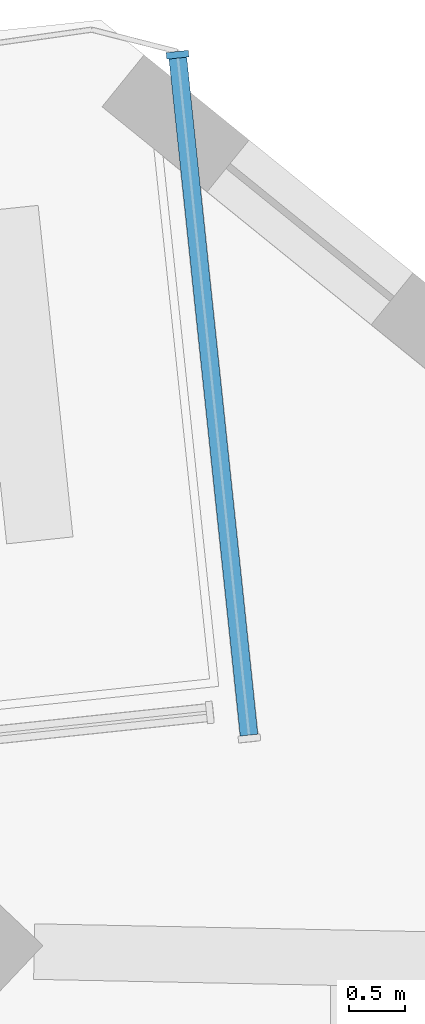
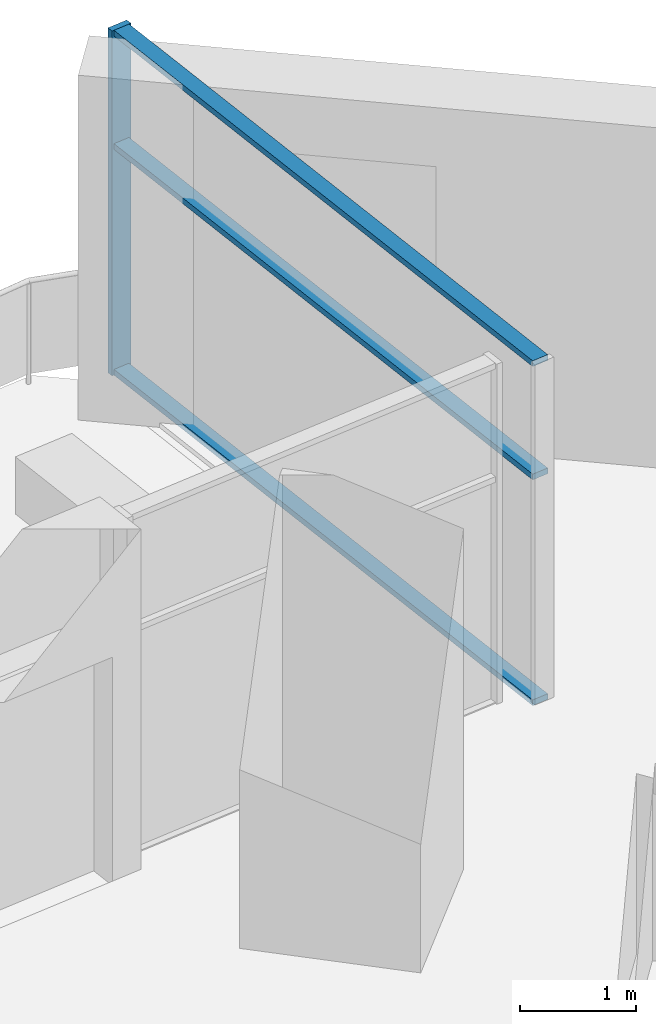
# One storey, part 5 of 14: 4 members, 1 element without a shape of its own.
"""IFC4 building model written with IfcOpenShell, lengths in metres."""

from ifc_helpers import new_model, si_unit, direction, frame, origin, origin_2d, place, context, subcontext, project, spatial, rectangle, extrude, material, material_profile, profile_set, type_object, element, aggregate, save


model = new_model("IFC4")

# Units and contexts
model_context = context("Model", 3, precision=1e-05, world=origin(), true_north=direction((0.0, 1.0)))
body_context = subcontext(model_context, "Body", "Model", "MODEL_VIEW")
ifc_project = project(units=[si_unit("LENGTHUNIT", "METRE"), si_unit("AREAUNIT", "SQUARE_METRE"), si_unit("VOLUMEUNIT", "CUBIC_METRE"), si_unit("PLANEANGLEUNIT", "RADIAN"), si_unit("MASSUNIT", "GRAM", prefix="KILO")], contexts=[model_context])

# Site, building, storey
site_placement = place(None, origin())
site = spatial("IfcSite", under=ifc_project, at=site_placement, CompositionType="ELEMENT")
building_placement = place(site_placement, origin())
building = spatial("IfcBuilding", under=site, at=building_placement, Name="Dilmun Exchange Tower", CompositionType="ELEMENT")
storey_placement = place(building_placement, frame((0.0, 0.0, 229.300048828125)))
storey = spatial("IfcBuildingStorey", under=building, at=storey_placement, Name="L54", CompositionType="ELEMENT", Elevation=229.300048828125)

# Curtain wall, members
ifc_material_1 = material(Name="Anodised aluminium and clear glass", Category="aluminium")
curtain_wall_type = type_object("IfcCurtainWallType", Name="Garden corner glazing", PredefinedType="NOTDEFINED", material=ifc_material_1)
curtain_wall_placement = place(storey_placement, origin())
curtain_wall = element("IfcCurtainWall", 1, at=curtain_wall_placement, inside=storey, type_object=curtain_wall_type, Name="Garden corner glazing run GC1.1", PredefinedType="NOTDEFINED")
ifc_material_2 = material(Name="Anodised aluminium", Category="aluminium")
ifc_material_profile_1 = material_profile(ifc_material_2, rectangle(XDim=0.199951171875, YDim=0.06005859375, at=origin_2d()), Name="AL 60x200")
ifc_profile_set_1 = profile_set([ifc_material_profile_1], Name="Anodised aluminium")
member_type_1 = type_object("IfcMemberType", Name="Garden corner glazing mullion 60 x 200", PredefinedType="MULLION", material=ifc_profile_set_1)
member_1_placement = place(storey_placement, frame((4.02685546875, 35.587646484375, 0.0), z_axis=(0.0, 0.0, 1.0), x_axis=(0.994520705874, 0.104539779931, 0.0)))
member_1 = element("IfcMember", 2, at=member_1_placement, type_object=member_type_1, Name="GC1.1 mullion 1", PredefinedType="MULLION", context=body_context, shape_type="SweptSolid", body=[
    extrude(rectangle(XDim=0.199951171875, YDim=0.06005859375, at=origin_2d()), origin(), (0.0, 0.0, 1.0), 3.619873046875),
])
ifc_material_profile_2 = material_profile(ifc_material_2, rectangle(XDim=0.159912109375, YDim=0.06005859375, at=origin_2d()), Name="AL 60x160")
ifc_profile_set_2 = profile_set([ifc_material_profile_2], Name="Anodised aluminium")
member_type_2 = type_object("IfcMemberType", Name="Garden corner glazing transom 60 x 160", PredefinedType="USERDEFINED", material=ifc_profile_set_2)
member_2_placement = place(storey_placement, frame((4.02978515625, 35.557861328125, 0.030029296875), z_axis=(0.104568615863, -0.994517674341, 0.0), x_axis=(0.994517674341, 0.104568615863, 0.0)))
member_2 = element("IfcMember", 3, at=member_2_placement, type_object=member_type_2, Name="GC1.1 transom 1.1", ObjectType="TRANSOM", PredefinedType="USERDEFINED", context=body_context, shape_type="SweptSolid", body=[
    extrude(rectangle(XDim=0.159912109375, YDim=0.06005859375, at=origin_2d()), origin(), (0.0, 0.0, 1.0), 6.12646484375),
])
member_3_placement = place(storey_placement, frame((4.02978515625, 35.557861328125, 2.39990234375), z_axis=(0.104568615863, -0.994517674341, 0.0), x_axis=(0.994517674341, 0.104568615863, 0.0)))
member_3 = element("IfcMember", 4, at=member_3_placement, type_object=member_type_2, Name="GC1.1 transom 1.2", ObjectType="TRANSOM", PredefinedType="USERDEFINED", context=body_context, shape_type="SweptSolid", body=[
    extrude(rectangle(XDim=0.159912109375, YDim=0.06005859375, at=origin_2d()), origin(), (0.0, 0.0, 1.0), 6.12646484375),
])
member_4_placement = place(storey_placement, frame((4.02978515625, 35.557861328125, 3.58984375), z_axis=(0.104568615863, -0.994517674341, 0.0), x_axis=(0.994517674341, 0.104568615863, 0.0)))
member_4 = element("IfcMember", 5, at=member_4_placement, type_object=member_type_2, Name="GC1.1 transom 1.3", ObjectType="TRANSOM", PredefinedType="USERDEFINED", context=body_context, shape_type="SweptSolid", body=[
    extrude(rectangle(XDim=0.159912109375, YDim=0.06005859375, at=origin_2d()), origin(), (0.0, 0.0, 1.0), 6.12646484375),
])
aggregate(curtain_wall, [member_1, member_2, member_3, member_4])

save(model, "model.ifc")
